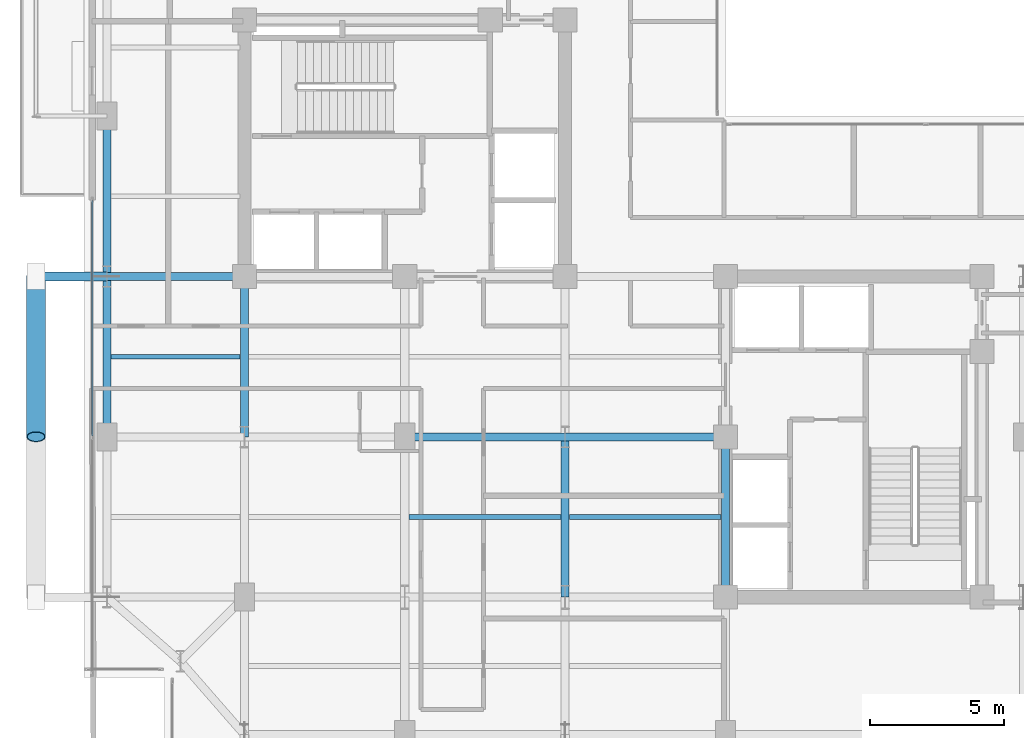
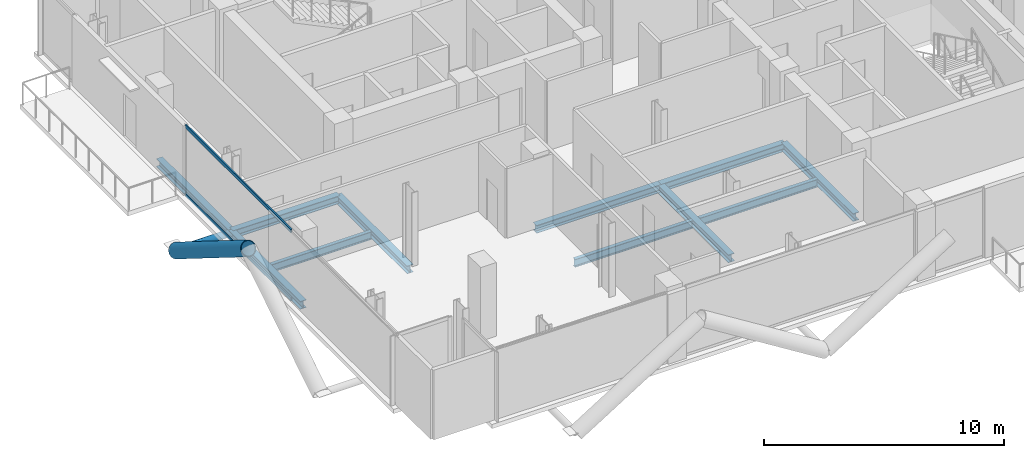
# One storey, part 6 of 25: 11 beams, 4 members, 1 element without a shape of its own.
"""IFC4 building model written with IfcOpenShell, lengths in metres."""

from ifc_helpers import new_model, si_unit, direction, frame, origin, origin_2d, place, context, subcontext, project, spatial, hollow_rectangle, hollow_circle, i_section, extrude, material, layer, layer_set, material_profile, profile_set, type_object, element, aggregate, save


model = new_model("IFC4")

# Units and contexts
model_context = context("Model", 3, precision=1e-05, world=origin(), true_north=direction((0.0, 1.0)))
body_context = subcontext(model_context, "Body", "Model", "MODEL_VIEW")
ifc_project = project(units=[si_unit("LENGTHUNIT", "METRE"), si_unit("AREAUNIT", "SQUARE_METRE"), si_unit("VOLUMEUNIT", "CUBIC_METRE"), si_unit("PLANEANGLEUNIT", "RADIAN"), si_unit("MASSUNIT", "GRAM", prefix="KILO"), si_unit("THERMODYNAMICTEMPERATUREUNIT", "KELVIN"), si_unit("POWERUNIT", "WATT")], contexts=[model_context])

# Site, building, storey
site_placement = place(None, origin())
site = spatial("IfcSite", under=ifc_project, at=site_placement, CompositionType="ELEMENT")
building_placement = place(site_placement, origin())
building = spatial("IfcBuilding", under=site, at=building_placement, Name="Svarakhadi Broadcast Tower", CompositionType="ELEMENT")
storey_placement = place(building_placement, frame((0.0, 0.0, 227.39990234375)))
storey = spatial("IfcBuildingStorey", under=building, at=storey_placement, Name="L56", CompositionType="ELEMENT", Elevation=227.39990234375)

# Beams
ifc_material_1 = material(Name="Steel S355J2 (IS 2062 E350C)", Category="steel")
ifc_material_profile_1 = material_profile(ifc_material_1, i_section(OverallWidth=0.179931640625, OverallDepth=0.39990234375, WebThickness=0.008544921875, FlangeThickness=0.013427734375, FilletRadius=0.02099609375, at=origin_2d()), Name="NPB 400x180x66")
ifc_profile_set_1 = profile_set([ifc_material_profile_1], Name="Steel S355J2 (IS 2062 E350C)")
beam_type_1 = type_object("IfcBeamType", Name="Beam_NPB400", PredefinedType="BEAM", material=ifc_profile_set_1)
beam_1_placement = place(storey_placement, frame((1.010009765625, 15.0, -0.409912109375), z_axis=(1.0, 0.0, 0.0), x_axis=(0.0, 1.0, 0.0)))
element("IfcBeam", 1, at=beam_1_placement, inside=storey, type_object=beam_type_1, Name="L56 Secondary Composite Beam SB002", PredefinedType="BEAM", context=body_context, shape_type="SweptSolid", body=[
    extrude(i_section(OverallWidth=0.179931640625, OverallDepth=0.39990234375, WebThickness=0.008544921875, FlangeThickness=0.013427734375, FilletRadius=0.02099609375, at=origin_2d()), origin(), (0.0, 0.0, 1.0), 4.830078125),
])
for number, where, z_axis, x_axis, name in (
    (2, (12.159912109375, 9.0, -0.409912109375), (1.0, 0.0, 0.0), (0.0, 1.0, 0.0), "L56 Secondary Composite Beam SB010"),
    (3, (18.159912109375, 9.0, -0.409912109375), (1.0, 0.0, 0.0), (0.0, 1.0, 0.0), "L56 Secondary Composite Beam SB014"),
):
    element("IfcBeam", number, at=place(storey_placement, frame(where, z_axis=z_axis, x_axis=x_axis)), inside=storey, type_object=beam_type_1, Name=name, PredefinedType="BEAM", context=body_context, shape_type="SweptSolid", body=[
        extrude(i_section(OverallWidth=0.179931640625, OverallDepth=0.39990234375, WebThickness=0.008544921875, FlangeThickness=0.013427734375, FilletRadius=0.02099609375, at=origin_2d()), origin(), (0.0, 0.0, 1.0), 5.68017578125),
    ])

# Curtain wall, members
ifc_material_2 = material(Name="Anodised Bronze Aluminium AA 6063-T6", Category="aluminium")
ifc_layer = layer(ifc_material_2, 0.18994140625)
ifc_layer_set = layer_set([ifc_layer], Name="Anodised Bronze Aluminium AA 6063-T6")
curtain_wall_type = type_object("IfcCurtainWallType", Name="CW_Sys_04", PredefinedType="NOTDEFINED", material=ifc_layer_set)
curtain_wall_placement = place(storey_placement, origin())
curtain_wall = element("IfcCurtainWall", 4, at=curtain_wall_placement, inside=storey, type_object=curtain_wall_type, Name="L56 West Curtain Wall 02", PredefinedType="NOTDEFINED")
ifc_material_profile_2 = material_profile(ifc_material_2, hollow_rectangle(XDim=0.06494140625, YDim=0.175048828125, WallThickness=0.0048828125, at=origin_2d()), Name="ALU TRANSOM 175x65x5")
ifc_profile_set_2 = profile_set([ifc_material_profile_2], Name="Anodised Bronze Aluminium AA 6063-T6")
member_type_1 = type_object("IfcMemberType", Name="CW_Sys_04_Trn", PredefinedType="USERDEFINED", material=ifc_profile_set_2)
member_1_placement = place(storey_placement, frame((0.300048828125, 12.034912109375, 0.03271484375), z_axis=(0.0, 1.0, 0.0), x_axis=(-1.0, 0.0, 0.0)))
member_1 = element("IfcMember", 5, at=member_1_placement, type_object=member_type_1, Name="CW-04 transom 2.1", ObjectType="TRANSOM", PredefinedType="USERDEFINED", context=body_context, shape_type="SweptSolid", body=[
    extrude(hollow_rectangle(XDim=0.06494140625, YDim=0.175048828125, WallThickness=0.0048828125, at=origin_2d()), origin(), (0.0, 0.0, 1.0), 8.80517578125),
])
member_2_placement = place(storey_placement, frame((0.300048828125, 12.034912109375, 3.507568359375), z_axis=(0.0, 1.0, 0.0), x_axis=(-1.0, 0.0, 0.0)))
member_2 = element("IfcMember", 6, at=member_2_placement, type_object=member_type_1, Name="CW-04 transom 2.2", ObjectType="TRANSOM", PredefinedType="USERDEFINED", context=body_context, shape_type="SweptSolid", body=[
    extrude(hollow_rectangle(XDim=0.06494140625, YDim=0.175048828125, WallThickness=0.0048828125, at=origin_2d()), origin(), (0.0, 0.0, 1.0), 8.80517578125),
])
aggregate(curtain_wall, [member_1, member_2])

# Members
ifc_material_3 = material(Name="Steel S460ML (IS 2062 E450BR)", Category="steel")
ifc_material_profile_3 = material_profile(ifc_material_3, hollow_circle(Radius=0.35546875, WallThickness=0.034912109375, at=origin_2d()), Name="CHS 711x35")
ifc_profile_set_3 = profile_set([ifc_material_profile_3], Name="Steel S460ML (IS 2062 E450BR)")
member_type_2 = type_object("IfcMemberType", Name="Exo_Brace_CHS711", PredefinedType="BRACE", material=ifc_profile_set_3)
member_3_placement = place(storey_placement, frame((-1.800048828125, 18.0, -0.371826171875), z_axis=(0.0, -0.847998304005, 0.529998940003), x_axis=(1.0, 0.0, 0.0)))
element("IfcMember", 7, at=member_3_placement, inside=storey, type_object=member_type_2, Name="L56 Exposed Bronze Exoskeleton Diagonal W05", PredefinedType="BRACE", context=body_context, shape_type="SweptSolid", body=[
    extrude(hollow_circle(Radius=0.35546875, WallThickness=0.034912109375, at=origin_2d()), origin(), (0.0, 0.0, 1.0), 7.075439453125),
])
ifc_material_profile_4 = material_profile(ifc_material_3, hollow_circle(Radius=0.161865234375, WallThickness=0.01611328125, at=origin_2d()), Name="CHS 323.9x16")
ifc_profile_set_4 = profile_set([ifc_material_profile_4], Name="Steel S460ML (IS 2062 E450BR)")
member_type_3 = type_object("IfcMemberType", Name="Exo_Radial_Strut_Z2", PredefinedType="STRUT", material=ifc_profile_set_4)
member_4_placement = place(storey_placement, frame((-1.800048828125, 18.0, -0.371826171875), z_axis=(1.0, 0.0, 0.0), x_axis=(0.0, 1.0, 0.0)))
element("IfcMember", 8, at=member_4_placement, inside=storey, type_object=member_type_3, Name="L56 Exoskeleton Radial Tie Strut W05", PredefinedType="STRUT", context=body_context, shape_type="SweptSolid", body=[
    extrude(hollow_circle(Radius=0.161865234375, WallThickness=0.01611328125, at=origin_2d()), origin(), (0.0, 0.0, 1.0), 2.650146484375),
])

# Beams
ifc_material_profile_5 = material_profile(ifc_material_1, i_section(OverallWidth=0.300048828125, OverallDepth=0.39990234375, WebThickness=0.013427734375, FlangeThickness=0.02392578125, FilletRadius=0.027099609375, at=origin_2d()), Name="WPB 400x300x155")
ifc_profile_set_5 = profile_set([ifc_material_profile_5], Name="Steel S355J2 (IS 2062 E350C)")
beam_type_2 = type_object("IfcBeamType", Name="Girder_WPB400", PredefinedType="USERDEFINED", material=ifc_profile_set_5)
for number, where, z_axis, x_axis, name in (
    (9, (12.0, 12.0, -0.409912109375), (1.0, 0.0, 0.0), (0.0, 1.0, 0.0), "L56 Primary E-W Girder G017"),
    (10, (18.0, 12.0, -0.409912109375), (1.0, 0.0, 0.0), (0.0, 1.0, 0.0), "L56 Primary E-W Girder G018"),
):
    element("IfcBeam", number, at=place(storey_placement, frame(where, z_axis=z_axis, x_axis=x_axis)), inside=storey, type_object=beam_type_2, Name=name, ObjectType="GIRDER", PredefinedType="USERDEFINED", context=body_context, shape_type="SweptSolid", body=[
        extrude(i_section(OverallWidth=0.300048828125, OverallDepth=0.39990234375, WebThickness=0.013427734375, FlangeThickness=0.02392578125, FilletRadius=0.027099609375, at=origin_2d()), origin(), (0.0, 0.0, 1.0), 6.0),
    ])
beam_2_placement = place(storey_placement, frame((0.85009765625, 18.0, -0.409912109375), z_axis=(1.0, 0.0, 0.0), x_axis=(0.0, 1.0, 0.0)))
element("IfcBeam", 11, at=beam_2_placement, inside=storey, type_object=beam_type_2, Name="L56 Primary E-W Girder G020", ObjectType="GIRDER", PredefinedType="USERDEFINED", context=body_context, shape_type="SweptSolid", body=[
    extrude(i_section(OverallWidth=0.300048828125, OverallDepth=0.39990234375, WebThickness=0.013427734375, FlangeThickness=0.02392578125, FilletRadius=0.027099609375, at=origin_2d()), origin(), (0.0, 0.0, 1.0), 5.14990234375),
])
for number, where, z_axis, x_axis, name in (
    (12, (0.85009765625, 12.0, -0.409912109375), (0.0, 1.0, 0.0), (-1.0, 0.0, 0.0), "L56 Primary N-S Girder G034"),
    (13, (0.85009765625, 18.0, -0.409912109375), (0.0, 1.0, 0.0), (-1.0, 0.0, 0.0), "L56 Primary N-S Girder G035"),
    (14, (6.0, 12.0, -0.409912109375), (0.0, 1.0, 0.0), (-1.0, 0.0, 0.0), "L56 Primary N-S Girder G039"),
    (15, (18.0, 6.0, -0.409912109375), (0.0, 1.0, 0.0), (-1.0, 0.0, 0.0), "L56 Primary N-S Girder G047"),
    (16, (24.0, 6.0, -0.409912109375), (0.0, 1.0, 0.0), (-1.0, 0.0, 0.0), "L56 Primary N-S Girder G052"),
):
    element("IfcBeam", number, at=place(storey_placement, frame(where, z_axis=z_axis, x_axis=x_axis)), inside=storey, type_object=beam_type_2, Name=name, ObjectType="GIRDER", PredefinedType="USERDEFINED", context=body_context, shape_type="SweptSolid", body=[
        extrude(i_section(OverallWidth=0.300048828125, OverallDepth=0.39990234375, WebThickness=0.013427734375, FlangeThickness=0.02392578125, FilletRadius=0.027099609375, at=origin_2d()), origin(), (0.0, 0.0, 1.0), 6.0),
    ])

save(model, "model.ifc")
